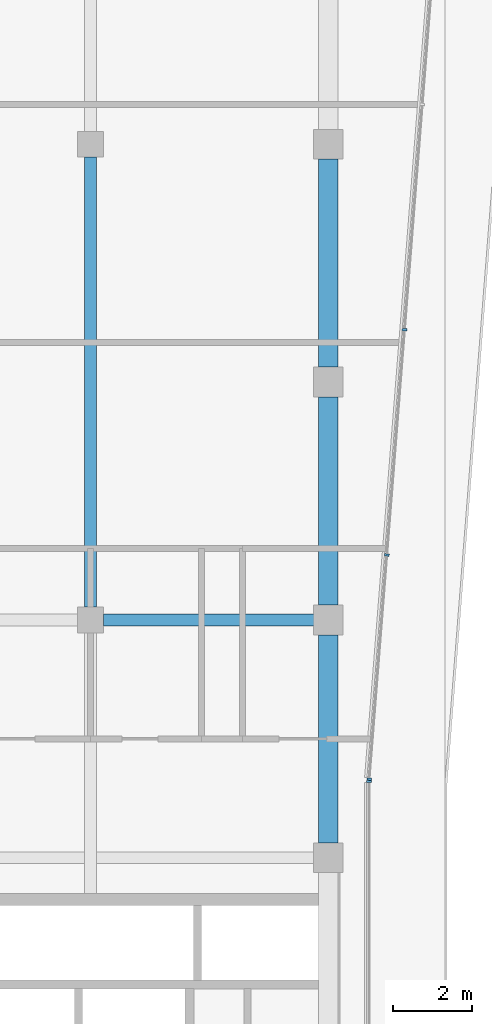
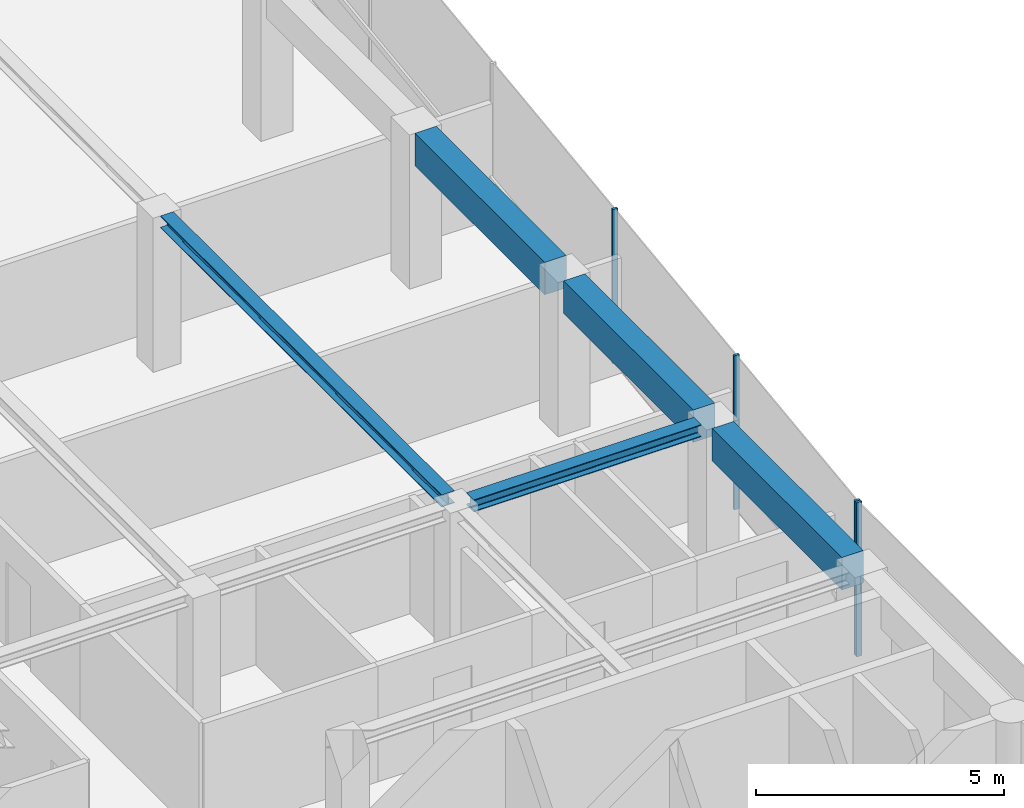
# One storey, part 7 of 22: 5 beams, 4 members, 2 elements without a shape of their own.
"""IFC4 building model written with IfcOpenShell, lengths in metres."""

from ifc_helpers import new_model, si_unit, direction, frame, origin, origin_2d, place, context, subcontext, project, spatial, rectangle, i_section, extrude, material, layer, layer_set, material_profile, profile_set, type_object, element, aggregate, save


model = new_model("IFC4")

# Units and contexts
model_context = context("Model", 3, precision=1e-05, world=origin(), true_north=direction((0.0, 1.0)))
body_context = subcontext(model_context, "Body", "Model", "MODEL_VIEW")
ifc_project = project(units=[si_unit("LENGTHUNIT", "METRE"), si_unit("AREAUNIT", "SQUARE_METRE"), si_unit("VOLUMEUNIT", "CUBIC_METRE"), si_unit("PLANEANGLEUNIT", "RADIAN"), si_unit("MASSUNIT", "GRAM", prefix="KILO")], contexts=[model_context])

# Site, building, storey
site_placement = place(None, origin())
site = spatial("IfcSite", under=ifc_project, at=site_placement, CompositionType="ELEMENT")
building_placement = place(site_placement, origin())
building = spatial("IfcBuilding", under=site, at=building_placement, Name="Welwitschia Terrace Campus", CompositionType="ELEMENT")
storey_placement = place(building_placement, frame((0.0, 0.0, 268.39990234375)))
storey = spatial("IfcBuildingStorey", under=building, at=storey_placement, Name="L59", CompositionType="ELEMENT", Elevation=268.39990234375)

# Beams
ifc_material_1 = material(Name="Steel S355", Category="steel")
ifc_material_profile_1 = material_profile(ifc_material_1, i_section(OverallWidth=0.300048828125, OverallDepth=0.300048828125, WebThickness=0.010986328125, FlangeThickness=0.01904296875, FilletRadius=0.027099609375, at=origin_2d()))
ifc_profile_set_1 = profile_set([ifc_material_profile_1], Name="Steel S355")
beam_type_1 = type_object("IfcBeamType", Name="Interior girder HE 300 B", PredefinedType="BEAM", material=ifc_profile_set_1)
beam_1_placement = place(storey_placement, frame((18.325439453125, 32.0, 3.650146484375), z_axis=(1.0, 0.0, 0.0), x_axis=(0.0, 1.0, 0.0)))
element("IfcBeam", 1, at=beam_1_placement, inside=storey, type_object=beam_type_1, Name="Girder GB6", PredefinedType="BEAM", context=body_context, shape_type="SweptSolid", body=[
    extrude(i_section(OverallWidth=0.300048828125, OverallDepth=0.300048828125, WebThickness=0.010986328125, FlangeThickness=0.01904296875, FilletRadius=0.027099609375, at=origin_2d()), origin(), (0.0, 0.0, 1.0), 5.30908203125),
])
beam_2_placement = place(storey_placement, frame((18.0, 32.325439453125, 3.650146484375), z_axis=(0.0, 1.0, 0.0), x_axis=(-1.0, 0.0, 0.0)))
element("IfcBeam", 2, at=beam_2_placement, inside=storey, type_object=beam_type_1, Name="Girder GB6", PredefinedType="BEAM", context=body_context, shape_type="SweptSolid", body=[
    extrude(i_section(OverallWidth=0.300048828125, OverallDepth=0.300048828125, WebThickness=0.010986328125, FlangeThickness=0.01904296875, FilletRadius=0.027099609375, at=origin_2d()), origin(), (0.0, 0.0, 1.0), 11.34912109375),
])

# Curtain wall, member
ifc_material_2 = material(Name="Bronze anodised aluminium", Category="aluminium")
ifc_layer = layer(ifc_material_2, 0.1201171875)
ifc_layer_set = layer_set([ifc_layer], Name="Bronze anodised aluminium")
curtain_wall_type = type_object("IfcCurtainWallType", Name="Curtain wall CW2 tower 6000", PredefinedType="NOTDEFINED", material=ifc_layer_set)
curtain_wall_1_placement = place(storey_placement, origin())
curtain_wall_1 = element("IfcCurtainWall", 3, at=curtain_wall_1_placement, inside=storey, type_object=curtain_wall_type, Name="CW L59.7.0", PredefinedType="NOTDEFINED")
ifc_material_3 = material(Name="Bronze anodised aluminium", Category="aluminium")
ifc_material_profile_2 = material_profile(ifc_material_3, rectangle(XDim=0.1201171875, YDim=0.06005859375, at=origin_2d()))
ifc_profile_set_2 = profile_set([ifc_material_profile_2], Name="Bronze anodised aluminium")
member_type = type_object("IfcMemberType", Name="Mullion 60x120", PredefinedType="MULLION", material=ifc_profile_set_2)
member_1_placement = place(storey_placement, frame((25.030029296875, 27.923583984375, 0.0), z_axis=(0.0, 0.0, 1.0), x_axis=(-1.0, 0.0, 0.0)))
member_1 = element("IfcMember", 4, at=member_1_placement, type_object=member_type, Name="Mullion L59.7.0.1", PredefinedType="MULLION", context=body_context, shape_type="SweptSolid", body=[
    extrude(rectangle(XDim=0.1201171875, YDim=0.06005859375, at=origin_2d()), origin(), (0.0, 0.0, 1.0), 3.800048828125),
])
aggregate(curtain_wall_1, [member_1])

# Curtain wall, members
curtain_wall_2_placement = place(storey_placement, origin())
curtain_wall_2 = element("IfcCurtainWall", 5, at=curtain_wall_2_placement, inside=storey, type_object=curtain_wall_type, Name="CW L59.8.0", PredefinedType="NOTDEFINED")
member_2_placement = place(storey_placement, frame((25.032470703125, 27.983642578125, 0.0), z_axis=(0.0, 0.0, 1.0), x_axis=(-0.996917333733, 0.078459095728, 0.0)))
member_2 = element("IfcMember", 6, at=member_2_placement, type_object=member_type, Name="Mullion L59.8.0.0", PredefinedType="MULLION", context=body_context, shape_type="SweptSolid", body=[
    extrude(rectangle(XDim=0.1201171875, YDim=0.06005859375, at=origin_2d()), origin(), (0.0, 0.0, 1.0), 3.800048828125),
])
member_3_placement = place(storey_placement, frame((25.477294921875, 33.637451171875, 0.0), z_axis=(0.0, 0.0, 1.0), x_axis=(-0.996917333733, 0.078459095728, 0.0)))
member_3 = element("IfcMember", 7, at=member_3_placement, type_object=member_type, Name="Mullion L59.8.0.1", PredefinedType="MULLION", context=body_context, shape_type="SweptSolid", body=[
    extrude(rectangle(XDim=0.1201171875, YDim=0.06005859375, at=origin_2d()), origin(), (0.0, 0.0, 1.0), 3.800048828125),
])
member_4_placement = place(storey_placement, frame((25.924560546875, 39.321044921875, 0.0), z_axis=(0.0, 0.0, 1.0), x_axis=(-0.996917333733, 0.078459095728, 0.0)))
member_4 = element("IfcMember", 8, at=member_4_placement, type_object=member_type, Name="Mullion L59.8.0.2", PredefinedType="MULLION", context=body_context, shape_type="SweptSolid", body=[
    extrude(rectangle(XDim=0.1201171875, YDim=0.06005859375, at=origin_2d()), origin(), (0.0, 0.0, 1.0), 3.800048828125),
])
aggregate(curtain_wall_2, [member_2, member_3, member_4])

# Beams
ifc_material_4 = material(Name="Concrete C50/60", Category="concrete")
ifc_material_profile_3 = material_profile(ifc_material_4, rectangle(XDim=0.5, YDim=0.800048828125, at=origin_2d()))
ifc_profile_set_3 = profile_set([ifc_material_profile_3], Name="Concrete C50/60")
beam_type_2 = type_object("IfcBeamType", Name="Ring spandrel 500x800", PredefinedType="SPANDREL", material=ifc_profile_set_3)
for number, where, z_axis, x_axis, name in (
    (9, (24.0, 26.37548828125, 3.400146484375), (0.0, 1.0, 0.0), (-1.0, 0.0, 0.0), "Spandrel SP4"),
    (10, (24.0, 32.37548828125, 3.400146484375), (0.0, 1.0, 0.0), (-1.0, 0.0, 0.0), "Spandrel SP4"),
    (11, (24.0, 38.37548828125, 3.400146484375), (0.0, 1.0, 0.0), (-1.0, 0.0, 0.0), "Spandrel SP4"),
):
    element("IfcBeam", number, at=place(storey_placement, frame(where, z_axis=z_axis, x_axis=x_axis)), inside=storey, type_object=beam_type_2, Name=name, PredefinedType="SPANDREL", context=body_context, shape_type="SweptSolid", body=[
        extrude(rectangle(XDim=0.5, YDim=0.800048828125, at=origin_2d()), origin(), (0.0, 0.0, 1.0), 5.2490234375),
    ])

save(model, "model.ifc")
